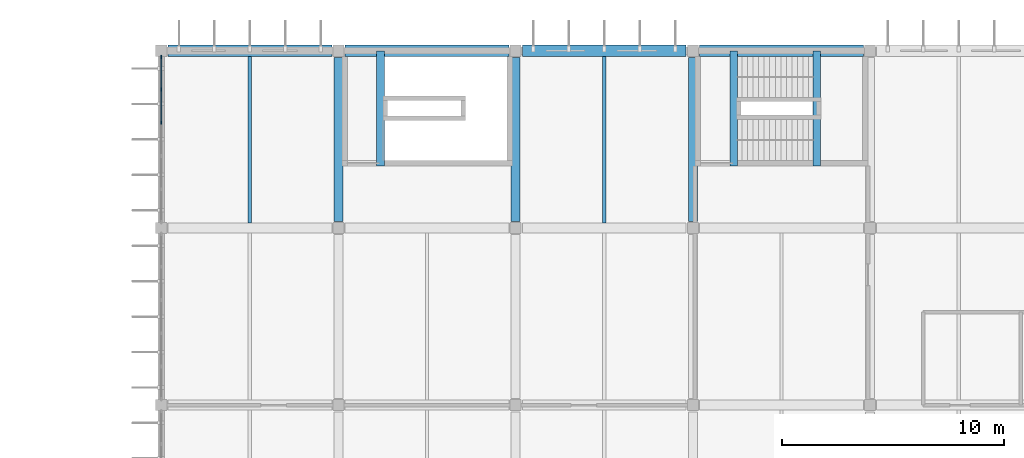
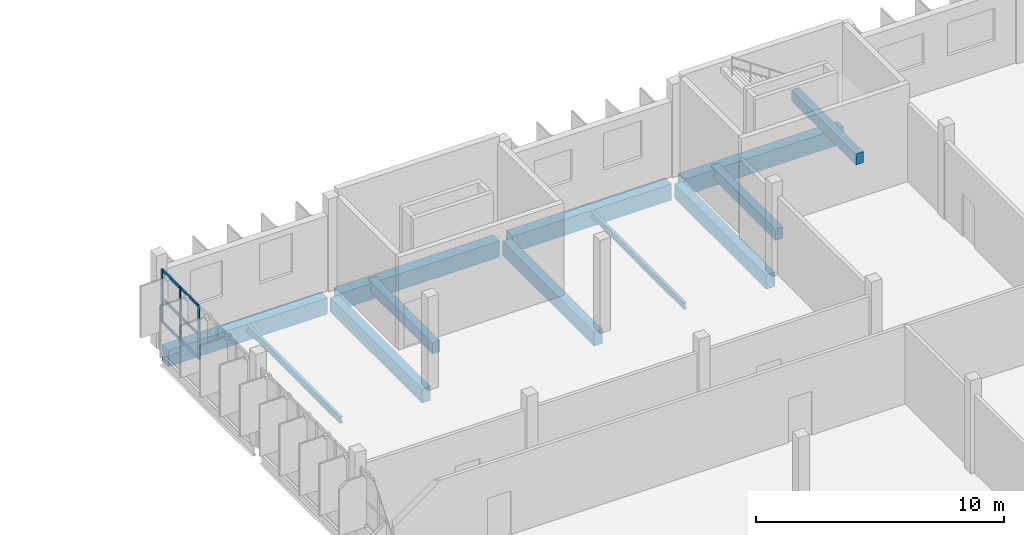
# One storey, part 38 of 93: 12 beams, 9 members, 1 element without a shape of its own.
"""IFC4 building model written with IfcOpenShell, lengths in metres."""

from ifc_helpers import new_model, si_unit, direction, frame, origin, origin_2d, place, context, subcontext, project, spatial, rectangle, i_section, extrude, material, layer, layer_set, material_profile, profile_set, type_object, element, aggregate, save


model = new_model("IFC4")

# Units and contexts
model_context = context("Model", 3, precision=1e-05, world=origin(), true_north=direction((0.0, 1.0)))
body_context = subcontext(model_context, "Body", "Model", "MODEL_VIEW")
ifc_project = project(units=[si_unit("LENGTHUNIT", "METRE"), si_unit("AREAUNIT", "SQUARE_METRE"), si_unit("VOLUMEUNIT", "CUBIC_METRE"), si_unit("PLANEANGLEUNIT", "RADIAN"), si_unit("MASSUNIT", "GRAM", prefix="KILO")], contexts=[model_context])

# Site, building, storey
site_placement = place(None, origin())
site = spatial("IfcSite", under=ifc_project, at=site_placement, CompositionType="ELEMENT")
building_placement = place(site_placement, origin())
building = spatial("IfcBuilding", under=site, at=building_placement, Name="Drelvana Railside Aquatics Centre", CompositionType="ELEMENT")
storey_placement = place(building_placement, frame((0.0, 0.0, 5.39990234375)))
storey = spatial("IfcBuildingStorey", under=building, at=storey_placement, Name="L01", CompositionType="ELEMENT", Elevation=5.39990234375)

# Curtain wall, members
ifc_material_1 = material(Name="Bronze-anodised aluminium curtain wall", Category="aluminium")
ifc_layer = layer(ifc_material_1, 0.1650390625, Name="Bronze-anodised aluminium curtain wall")
ifc_layer_set = layer_set([ifc_layer], Name="Bronze-anodised aluminium curtain wall")
curtain_wall_type = type_object("IfcCurtainWallType", Name="CW-Z5-COURT", PredefinedType="NOTDEFINED", material=ifc_layer_set)
curtain_wall_placement = place(storey_placement, origin())
curtain_wall = element("IfcCurtainWall", 1, at=curtain_wall_placement, inside=storey, type_object=curtain_wall_type, Name="Curtain wall CW-05-134", PredefinedType="NOTDEFINED")
ifc_material_2 = material(Name="Bronze-anodised aluminium 6063-T6", Category="aluminium")
ifc_material_profile_1 = material_profile(ifc_material_2, rectangle(XDim=0.06005859375, YDim=0.14990234375, at=origin_2d()), Name="ALU-M 60x150")
ifc_profile_set_1 = profile_set([ifc_material_profile_1], Name="Bronze-anodised aluminium 6063-T6")
member_type_1 = type_object("IfcMemberType", Name="CW-Z5-COURT-MUL", PredefinedType="MULLION", material=ifc_profile_set_1)
member_1_placement = place(storey_placement, frame((96.0, 112.751220703125, 1.244140625), z_axis=(0.0, 0.0, 1.0), x_axis=(-1.0, 0.0, 0.0)))
member_1 = element("IfcMember", 2, at=member_1_placement, type_object=member_type_1, Name="CW-05 mullion 4", PredefinedType="MULLION", context=body_context, shape_type="SweptSolid", body=[
    extrude(rectangle(XDim=0.06005859375, YDim=0.14990234375, at=origin_2d()), origin(), (0.0, 0.0, 1.0), 2.60595703125),
])
member_2_placement = place(storey_placement, frame((96.0, 114.253662109375, 1.244140625), z_axis=(0.0, 0.0, 1.0), x_axis=(-1.0, 0.0, 0.0)))
member_2 = element("IfcMember", 3, at=member_2_placement, type_object=member_type_1, Name="CW-05 mullion 5", PredefinedType="MULLION", context=body_context, shape_type="SweptSolid", body=[
    extrude(rectangle(XDim=0.06005859375, YDim=0.14990234375, at=origin_2d()), origin(), (0.0, 0.0, 1.0), 2.60595703125),
])
member_3_placement = place(storey_placement, frame((96.0, 115.72607421875, 1.244140625), z_axis=(0.0, 0.0, 1.0), x_axis=(-1.0, 0.0, 0.0)))
member_3 = element("IfcMember", 4, at=member_3_placement, type_object=member_type_1, Name="CW-05 mullion 6", PredefinedType="MULLION", context=body_context, shape_type="SweptSolid", body=[
    extrude(rectangle(XDim=0.06005859375, YDim=0.14990234375, at=origin_2d()), origin(), (0.0, 0.0, 1.0), 2.60595703125),
])
ifc_material_profile_2 = material_profile(ifc_material_2, rectangle(XDim=0.1201171875, YDim=0.06005859375, at=origin_2d()), Name="ALU-T 60x120")
ifc_profile_set_2 = profile_set([ifc_material_profile_2], Name="Bronze-anodised aluminium 6063-T6")
member_type_2 = type_object("IfcMemberType", Name="CW-Z5-COURT-TRN", PredefinedType="USERDEFINED", material=ifc_profile_set_2)
member_4_placement = place(storey_placement, frame((96.0, 112.776123046875, 1.274169921875), z_axis=(0.0, 1.0, 0.0), x_axis=(0.0, 0.0, 1.0)))
member_4 = element("IfcMember", 5, at=member_4_placement, type_object=member_type_2, Name="CW-05 transom 4.1", ObjectType="TRANSOM", PredefinedType="USERDEFINED", context=body_context, shape_type="SweptSolid", body=[
    extrude(rectangle(XDim=0.1201171875, YDim=0.06005859375, at=origin_2d()), origin(), (0.0, 0.0, 1.0), 1.452392578125),
])
member_5_placement = place(storey_placement, frame((96.0, 112.776123046875, 2.4169921875), z_axis=(0.0, 1.0, 0.0), x_axis=(0.0, 0.0, 1.0)))
member_5 = element("IfcMember", 6, at=member_5_placement, type_object=member_type_2, Name="CW-05 transom 4.2", ObjectType="TRANSOM", PredefinedType="USERDEFINED", context=body_context, shape_type="SweptSolid", body=[
    extrude(rectangle(XDim=0.1201171875, YDim=0.06005859375, at=origin_2d()), origin(), (0.0, 0.0, 1.0), 1.452392578125),
])
member_6_placement = place(storey_placement, frame((96.0, 112.776123046875, 3.820068359375), z_axis=(0.0, 1.0, 0.0), x_axis=(0.0, 0.0, 1.0)))
member_6 = element("IfcMember", 7, at=member_6_placement, type_object=member_type_2, Name="CW-05 transom 4.3", ObjectType="TRANSOM", PredefinedType="USERDEFINED", context=body_context, shape_type="SweptSolid", body=[
    extrude(rectangle(XDim=0.1201171875, YDim=0.06005859375, at=origin_2d()), origin(), (0.0, 0.0, 1.0), 1.452392578125),
])
member_7_placement = place(storey_placement, frame((96.0, 114.278564453125, 1.274169921875), z_axis=(0.0, 1.0, 0.0), x_axis=(0.0, 0.0, 1.0)))
member_7 = element("IfcMember", 8, at=member_7_placement, type_object=member_type_2, Name="CW-05 transom 5.1", ObjectType="TRANSOM", PredefinedType="USERDEFINED", context=body_context, shape_type="SweptSolid", body=[
    extrude(rectangle(XDim=0.1201171875, YDim=0.06005859375, at=origin_2d()), origin(), (0.0, 0.0, 1.0), 1.42236328125),
])
member_8_placement = place(storey_placement, frame((96.0, 114.278564453125, 2.4169921875), z_axis=(0.0, 1.0, 0.0), x_axis=(0.0, 0.0, 1.0)))
member_8 = element("IfcMember", 9, at=member_8_placement, type_object=member_type_2, Name="CW-05 transom 5.2", ObjectType="TRANSOM", PredefinedType="USERDEFINED", context=body_context, shape_type="SweptSolid", body=[
    extrude(rectangle(XDim=0.1201171875, YDim=0.06005859375, at=origin_2d()), origin(), (0.0, 0.0, 1.0), 1.42236328125),
])
member_9_placement = place(storey_placement, frame((96.0, 114.278564453125, 3.820068359375), z_axis=(0.0, 1.0, 0.0), x_axis=(0.0, 0.0, 1.0)))
member_9 = element("IfcMember", 10, at=member_9_placement, type_object=member_type_2, Name="CW-05 transom 5.3", ObjectType="TRANSOM", PredefinedType="USERDEFINED", context=body_context, shape_type="SweptSolid", body=[
    extrude(rectangle(XDim=0.1201171875, YDim=0.06005859375, at=origin_2d()), origin(), (0.0, 0.0, 1.0), 1.42236328125),
])
aggregate(curtain_wall, [member_1, member_2, member_3, member_4, member_5, member_6, member_7, member_8, member_9])

# Beams
ifc_material_3 = material(Name="Concrete C40/50", Category="concrete")
ifc_material_profile_3 = material_profile(ifc_material_3, rectangle(XDim=0.35009765625, YDim=0.550048828125, at=origin_2d()), Name="RC 350x550")
ifc_profile_set_3 = profile_set([ifc_material_profile_3], Name="Concrete C40/50")
beam_type_1 = type_object("IfcBeamType", Name="STR-BM-BM-01-RC-350x550", PredefinedType="BEAM", material=ifc_profile_set_3)
for number, where, z_axis, x_axis, name in (
    (11, (121.85009765625, 110.800048828125, -0.474853515625), (0.0, 1.0, 0.0), (-1.0, 0.0, 0.0), "Stair ST-05 L01 landing beam"),
    (12, (125.590087890625, 110.800048828125, 1.925048828125), (0.0, 1.0, 0.0), (-1.0, 0.0, 0.0), "Stair ST-05 L01 mid-landing beam"),
    (13, (105.89990234375, 110.800048828125, -0.474853515625), (0.0, 1.0, 0.0), (-1.0, 0.0, 0.0), "Stair ST-11 L01 landing beam"),
):
    element("IfcBeam", number, at=place(storey_placement, frame(where, z_axis=z_axis, x_axis=x_axis)), inside=storey, type_object=beam_type_1, Name=name, PredefinedType="BEAM", context=body_context, shape_type="SweptSolid", body=[
        extrude(rectangle(XDim=0.35009765625, YDim=0.550048828125, at=origin_2d()), origin(), (0.0, 0.0, 1.0), 5.199951171875),
    ])
ifc_material_profile_4 = material_profile(ifc_material_3, rectangle(XDim=0.39990234375, YDim=0.699951171875, at=origin_2d()), Name="RC 400x700")
ifc_profile_set_4 = profile_set([ifc_material_profile_4], Name="Concrete C40/50")
beam_type_2 = type_object("IfcBeamType", Name="STR-BM-BM-03-RC-400x700", PredefinedType="BEAM", material=ifc_profile_set_4)
for number, where, z_axis, x_axis, name in (
    (14, (104.0, 108.300048828125, -0.625), (0.0, 1.0, 0.0), (-1.0, 0.0, 0.0), "Girder BM-03 (L01)"),
    (15, (112.0, 108.300048828125, -0.625), (0.0, 1.0, 0.0), (-1.0, 0.0, 0.0), "Girder BM-03 (L01)"),
    (16, (120.0, 108.300048828125, -0.625), (0.0, 1.0, 0.0), (-1.0, 0.0, 0.0), "Girder BM-03 (L01)"),
):
    element("IfcBeam", number, at=place(storey_placement, frame(where, z_axis=z_axis, x_axis=x_axis)), inside=storey, type_object=beam_type_2, Name=name, PredefinedType="BEAM", context=body_context, shape_type="SweptSolid", body=[
        extrude(rectangle(XDim=0.39990234375, YDim=0.699951171875, at=origin_2d()), origin(), (0.0, 0.0, 1.0), 7.39990234375),
    ])
ifc_material_profile_5 = material_profile(ifc_material_3, rectangle(XDim=0.5, YDim=0.800048828125, at=origin_2d()), Name="RC 500x800")
ifc_profile_set_5 = profile_set([ifc_material_profile_5], Name="Concrete C40/50")
beam_type_3 = type_object("IfcBeamType", Name="STR-BM-BM-06-RC-500x800", PredefinedType="SPANDREL", material=ifc_profile_set_5)
for number, where, z_axis, x_axis, name in (
    (17, (96.300048828125, 116.0, -0.6748046875), (1.0, 0.0, 0.0), (0.0, 1.0, 0.0), "Girder BM-06 (L01)"),
    (18, (104.300048828125, 116.0, -0.6748046875), (1.0, 0.0, 0.0), (0.0, 1.0, 0.0), "Girder BM-06 (L01)"),
    (19, (112.300048828125, 116.0, -0.6748046875), (1.0, 0.0, 0.0), (0.0, 1.0, 0.0), "Girder BM-06 (L01)"),
    (20, (120.300048828125, 116.0, -0.6748046875), (1.0, 0.0, 0.0), (0.0, 1.0, 0.0), "Girder BM-06 (L01)"),
):
    element("IfcBeam", number, at=place(storey_placement, frame(where, z_axis=z_axis, x_axis=x_axis)), inside=storey, type_object=beam_type_3, Name=name, PredefinedType="SPANDREL", context=body_context, shape_type="SweptSolid", body=[
        extrude(rectangle(XDim=0.5, YDim=0.800048828125, at=origin_2d()), origin(), (0.0, 0.0, 1.0), 7.39990234375),
    ])
ifc_material_4 = material(Name="Structural steel S355", Category="steel")
ifc_material_profile_6 = material_profile(ifc_material_4, i_section(OverallWidth=0.14990234375, OverallDepth=0.300048828125, WebThickness=0.007080078125, FlangeThickness=0.0107421875, at=origin_2d()), Name="IPE 300")
ifc_profile_set_6 = profile_set([ifc_material_profile_6], Name="Structural steel S355")
beam_type_4 = type_object("IfcBeamType", Name="STR-SBM-SJ-03-IPE-300", PredefinedType="JOIST", material=ifc_profile_set_6)
for number, where, z_axis, x_axis, name in (
    (21, (100.0, 108.22509765625, -0.4248046875), (0.0, 1.0, 0.0), (-1.0, 0.0, 0.0), "Secondary floor joist SJ-03 (L01)"),
    (22, (116.0, 108.22509765625, -0.4248046875), (0.0, 1.0, 0.0), (-1.0, 0.0, 0.0), "Secondary floor joist SJ-03 (L01)"),
):
    element("IfcBeam", number, at=place(storey_placement, frame(where, z_axis=z_axis, x_axis=x_axis)), inside=storey, type_object=beam_type_4, Name=name, PredefinedType="JOIST", context=body_context, shape_type="SweptSolid", body=[
        extrude(i_section(OverallWidth=0.14990234375, OverallDepth=0.300048828125, WebThickness=0.007080078125, FlangeThickness=0.0107421875, at=origin_2d()), origin(), (0.0, 0.0, 1.0), 7.52490234375),
    ])

save(model, "model.ifc")
